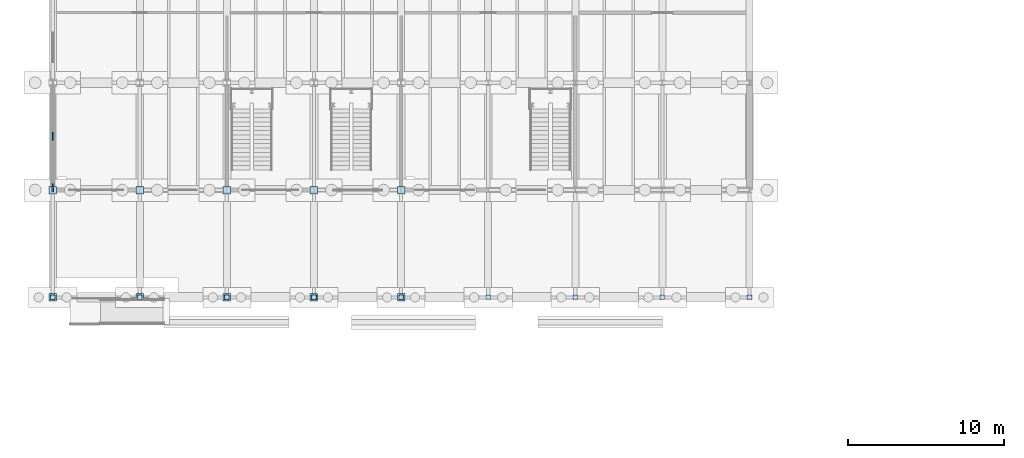
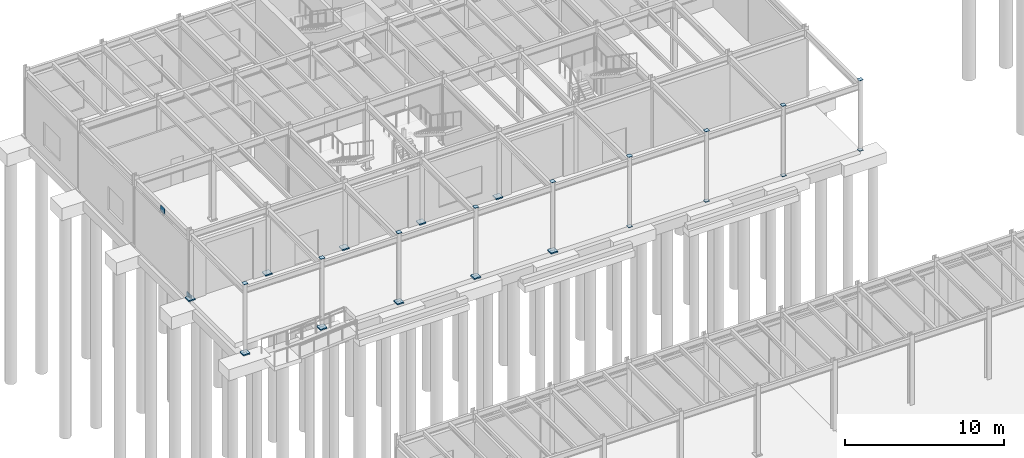
# One storey, part 57 of 82: 30 plates.
"""IFC4 building model written with IfcOpenShell, lengths in metres."""

from ifc_helpers import new_model, si_unit, direction, frame, origin, origin_2d, place, context, subcontext, project, spatial, rectangle, extrude, material, layer, layer_set, type_object, element, save


model = new_model("IFC4")

# Units and contexts
model_context = context("Model", 3, precision=1e-05, world=origin(), true_north=direction((0.0, 1.0)))
body_context = subcontext(model_context, "Body", "Model", "MODEL_VIEW")
ifc_project = project(units=[si_unit("LENGTHUNIT", "METRE"), si_unit("AREAUNIT", "SQUARE_METRE"), si_unit("VOLUMEUNIT", "CUBIC_METRE"), si_unit("PLANEANGLEUNIT", "RADIAN"), si_unit("MASSUNIT", "GRAM", prefix="KILO")], contexts=[model_context])

# Site, building, storey
site_placement = place(None, origin())
site = spatial("IfcSite", under=ifc_project, at=site_placement, CompositionType="ELEMENT")
building_placement = place(site_placement, origin())
building = spatial("IfcBuilding", under=site, at=building_placement, Name="Trelmorton Wharf Fire Station", CompositionType="ELEMENT")
storey_placement = place(building_placement, origin())
storey = spatial("IfcBuildingStorey", under=building, at=storey_placement, Name="L00", CompositionType="ELEMENT", Elevation=0.0)

# Plates
ifc_material = material(Name="Steel Grade 350", Category="steel")
ifc_layer_1 = layer(ifc_material, 0.090087890625)
ifc_layer_set_1 = layer_set([ifc_layer_1], Name="Steel Grade 350")
plate_type_1 = type_object("IfcPlateType", Name="PL_BASE_BP2", PredefinedType="USERDEFINED", material=ifc_layer_set_1)
for number, where, z_axis, x_axis, name in (
    (1, (0.800048828125, 53.39990234375, 0.0), (0.0, 0.0, 1.0), (1.0, 0.0, 0.0), "PL-BP-007"),
    (2, (0.800048828125, 60.300048828125, 0.0), (0.0, 0.0, 1.0), (1.0, 0.0, 0.0), "PL-BP-008"),
    (3, (6.39990234375, 53.39990234375, 0.0), (0.0, 0.0, 1.0), (1.0, 0.0, 0.0), "PL-BP-018"),
    (4, (6.39990234375, 60.300048828125, 0.0), (0.0, 0.0, 1.0), (1.0, 0.0, 0.0), "PL-BP-019"),
    (5, (12.0, 53.39990234375, 0.0), (0.0, 0.0, 1.0), (1.0, 0.0, 0.0), "PL-BP-027"),
    (6, (12.0, 60.300048828125, 0.0), (0.0, 0.0, 1.0), (1.0, 0.0, 0.0), "PL-BP-028"),
    (7, (17.60009765625, 53.39990234375, 0.0), (0.0, 0.0, 1.0), (1.0, 0.0, 0.0), "PL-BP-036"),
    (8, (17.60009765625, 60.300048828125, 0.0), (0.0, 0.0, 1.0), (1.0, 0.0, 0.0), "PL-BP-037"),
    (9, (23.199951171875, 53.39990234375, 0.0), (0.0, 0.0, 1.0), (1.0, 0.0, 0.0), "PL-BP-045"),
    (10, (23.199951171875, 60.300048828125, 0.0), (0.0, 0.0, 1.0), (1.0, 0.0, 0.0), "PL-BP-046"),
):
    element("IfcPlate", number, at=place(storey_placement, frame(where, z_axis=z_axis, x_axis=x_axis)), inside=storey, type_object=plate_type_1, Name=name, ObjectType="BASE PLATE", PredefinedType="USERDEFINED", context=body_context, shape_type="SweptSolid", body=[
        extrude(rectangle(XDim=0.47998046875, YDim=0.47998046875, at=origin_2d()), origin(), (0.0, 0.0, 1.0), 0.090087890625),
    ])
ifc_layer_2 = layer(ifc_material, 0.02001953125)
ifc_layer_set_2 = layer_set([ifc_layer_2], Name="Steel Grade 350")
plate_type_2 = type_object("IfcPlateType", Name="PL_ENDCAP_20", PredefinedType="SHEET", material=ifc_layer_set_2)
for number, where, z_axis, x_axis, name in (
    (11, (0.800048828125, 53.39990234375, -0.02197265625), (0.0, 0.0, 1.0), (1.0, 0.0, 0.0), "PL-COLCAP-B-0007"),
    (12, (0.800048828125, 53.39990234375, 5.39794921875), (0.0, 0.0, 1.0), (1.0, 0.0, 0.0), "PL-COLCAP-T-0007"),
    (13, (6.39990234375, 53.39990234375, -0.02197265625), (0.0, 0.0, 1.0), (1.0, 0.0, 0.0), "PL-COLCAP-B-0018"),
    (14, (6.39990234375, 53.39990234375, 5.39794921875), (0.0, 0.0, 1.0), (1.0, 0.0, 0.0), "PL-COLCAP-T-0018"),
    (15, (12.0, 53.39990234375, -0.02197265625), (0.0, 0.0, 1.0), (1.0, 0.0, 0.0), "PL-COLCAP-B-0027"),
    (16, (12.0, 53.39990234375, 5.39794921875), (0.0, 0.0, 1.0), (1.0, 0.0, 0.0), "PL-COLCAP-T-0027"),
    (17, (17.60009765625, 53.39990234375, -0.02197265625), (0.0, 0.0, 1.0), (1.0, 0.0, 0.0), "PL-COLCAP-B-0036"),
    (18, (17.60009765625, 53.39990234375, 5.39794921875), (0.0, 0.0, 1.0), (1.0, 0.0, 0.0), "PL-COLCAP-T-0036"),
    (19, (23.199951171875, 53.39990234375, -0.02197265625), (0.0, 0.0, 1.0), (1.0, 0.0, 0.0), "PL-COLCAP-B-0045"),
    (20, (23.199951171875, 53.39990234375, 5.39794921875), (0.0, 0.0, 1.0), (1.0, 0.0, 0.0), "PL-COLCAP-T-0045"),
    (21, (28.800048828125, 53.39990234375, -0.02197265625), (0.0, 0.0, 1.0), (1.0, 0.0, 0.0), "PL-COLCAP-B-0054"),
    (22, (28.800048828125, 53.39990234375, 5.39794921875), (0.0, 0.0, 1.0), (1.0, 0.0, 0.0), "PL-COLCAP-T-0054"),
    (23, (34.39990234375, 53.39990234375, -0.02197265625), (0.0, 0.0, 1.0), (1.0, 0.0, 0.0), "PL-COLCAP-B-0063"),
    (24, (34.39990234375, 53.39990234375, 5.39794921875), (0.0, 0.0, 1.0), (1.0, 0.0, 0.0), "PL-COLCAP-T-0063"),
    (25, (40.0, 53.39990234375, -0.02197265625), (0.0, 0.0, 1.0), (1.0, 0.0, 0.0), "PL-COLCAP-B-0072"),
    (26, (40.0, 53.39990234375, 5.39794921875), (0.0, 0.0, 1.0), (1.0, 0.0, 0.0), "PL-COLCAP-T-0072"),
    (27, (45.60009765625, 53.39990234375, -0.02197265625), (0.0, 0.0, 1.0), (1.0, 0.0, 0.0), "PL-COLCAP-B-0081"),
    (28, (45.60009765625, 53.39990234375, 5.39794921875), (0.0, 0.0, 1.0), (1.0, 0.0, 0.0), "PL-COLCAP-T-0081"),
):
    element("IfcPlate", number, at=place(storey_placement, frame(where, z_axis=z_axis, x_axis=x_axis)), inside=storey, type_object=plate_type_2, Name=name, PredefinedType="SHEET", context=body_context, shape_type="SweptSolid", body=[
        extrude(rectangle(XDim=0.29296875, YDim=0.29296875, at=origin_2d()), origin(), (0.0, 0.0, 1.0), 0.02392578125),
    ])
ifc_layer_3 = layer(ifc_material, 0.050048828125)
ifc_layer_set_3 = layer_set([ifc_layer_3], Name="Steel Grade 350")
plate_type_3 = type_object("IfcPlateType", Name="PL_GUSSET_TN2", PredefinedType="USERDEFINED", material=ifc_layer_set_3)
for number, where, z_axis, x_axis, name in (
    (29, (0.800048828125, 60.45458984375, -0.10498046875), (0.0, 0.0, 1.0), (1.0, 0.0, 0.0), "PL-CBF-0394"),
    (30, (0.800048828125, 63.75, 4.55517578125), (0.0, 0.0, 1.0), (1.0, 0.0, 0.0), "PL-CBF-0396"),
):
    element("IfcPlate", number, at=place(storey_placement, frame(where, z_axis=z_axis, x_axis=x_axis)), inside=storey, type_object=plate_type_3, Name=name, ObjectType="GUSSET PLATE", PredefinedType="USERDEFINED", context=body_context, shape_type="SweptSolid", body=[
        extrude(rectangle(XDim=0.050048828125, YDim=0.5, at=origin_2d()), origin(), (0.0, 0.0, 1.0), 0.449951171875),
    ])

save(model, "model.ifc")
